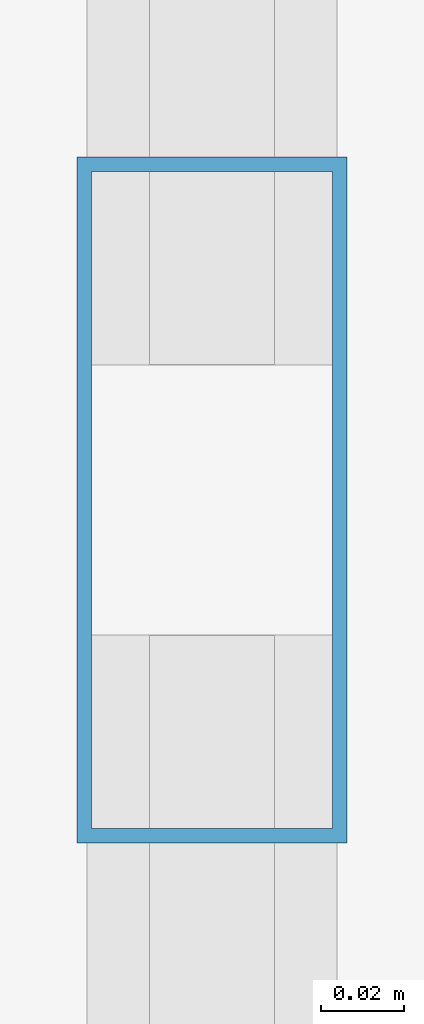
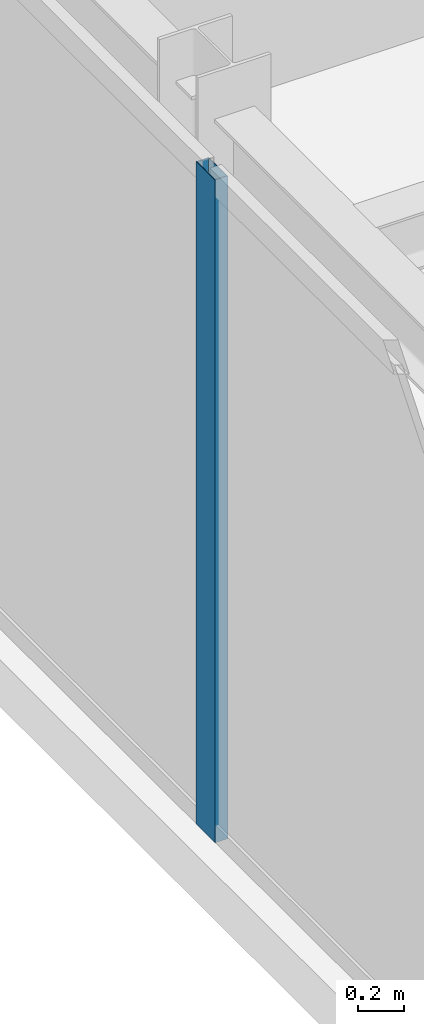
# One storey, part 10 of 30: 1 member, 1 element without a shape of its own.
"""IFC4 building model written with IfcOpenShell, lengths in metres."""

from ifc_helpers import new_model, si_unit, direction, frame, origin, origin_2d, place, context, subcontext, project, spatial, hollow_rectangle, extrude, source, transform, mapped, material, layer, layer_set, material_profile, profile_set, type_object, type_shapes, element, aggregate, save


model = new_model("IFC4")

# Units and contexts
model_context = context("Model", 3, precision=1e-05, world=origin(), true_north=direction((0.0, 1.0)))
body_context = subcontext(model_context, "Body", "Model", "MODEL_VIEW")
ifc_project = project(units=[si_unit("LENGTHUNIT", "METRE"), si_unit("AREAUNIT", "SQUARE_METRE"), si_unit("VOLUMEUNIT", "CUBIC_METRE"), si_unit("PLANEANGLEUNIT", "RADIAN"), si_unit("MASSUNIT", "GRAM", prefix="KILO")], contexts=[model_context])

# Site, building, storey
site_placement = place(None, origin())
site = spatial("IfcSite", under=ifc_project, at=site_placement, CompositionType="ELEMENT")
building_placement = place(site_placement, origin())
building = spatial("IfcBuilding", under=site, at=building_placement, Name="Varnel Quay Broadcast Tower", CompositionType="ELEMENT")
storey_placement = place(building_placement, frame((0.0, 0.0, 222.60009765625)))
storey = spatial("IfcBuildingStorey", under=building, at=storey_placement, Name="L55", CompositionType="ELEMENT", Elevation=222.60009765625)

# Curtain wall, member
ifc_material = material(Name="Anodised Bronze Aluminium 6063-T6", Category="aluminium")
ifc_layer = layer(ifc_material, 0.18994140625, Name="Anodised Bronze Aluminium 6063-T6")
ifc_layer_set = layer_set([ifc_layer], Name="Anodised Bronze Aluminium 6063-T6")
curtain_wall_type = type_object("IfcCurtainWallType", Name="CW_UpperTower", PredefinedType="NOTDEFINED", material=ifc_layer_set)
curtain_wall_placement = place(storey_placement, origin())
curtain_wall = element("IfcCurtainWall", 1, at=curtain_wall_placement, inside=storey, type_object=curtain_wall_type, Name="L55 West Unitised Curtain Wall", PredefinedType="NOTDEFINED")
ifc_material_profile = material_profile(ifc_material, hollow_rectangle(XDim=0.06494140625, YDim=0.1650390625, WallThickness=0.00341796875, at=origin_2d()), Name="ALU65X165X3.5")
ifc_profile_set = profile_set([ifc_material_profile], Name="Anodised Bronze Aluminium 6063-T6")
member_type = type_object("IfcMemberType", Name="Mull_CWS-03", PredefinedType="MULLION", material=ifc_profile_set)
shared_shape = source(origin(), body_context, "Body", "SweptSolid", [
    extrude(hollow_rectangle(XDim=0.06494140625, YDim=0.1650390625, WallThickness=0.00341796875, at=origin_2d()), origin(), (0.0, 0.0, 1.0), 3.5498046875),
])
type_shapes(member_type, [shared_shape])
member_placement = place(storey_placement, frame((9.64990234375, 28.5, 0.0), z_axis=(0.0, 0.0, 1.0), x_axis=(-1.0, 0.0, 0.0)))
member = element("IfcMember", 2, at=member_placement, type_object=member_type, Name="CWS-03 mullion 2", PredefinedType="MULLION", context=body_context, shape_type="MappedRepresentation", body=[
    mapped(shared_shape, transform((0.0, 0.0, 0.0), x_axis=(1.0, 0.0, 0.0), y_axis=(0.0, 1.0, 0.0), z_axis=(0.0, 0.0, 1.0), scale=1.0)),
])
aggregate(curtain_wall, [member])

save(model, "model.ifc")
